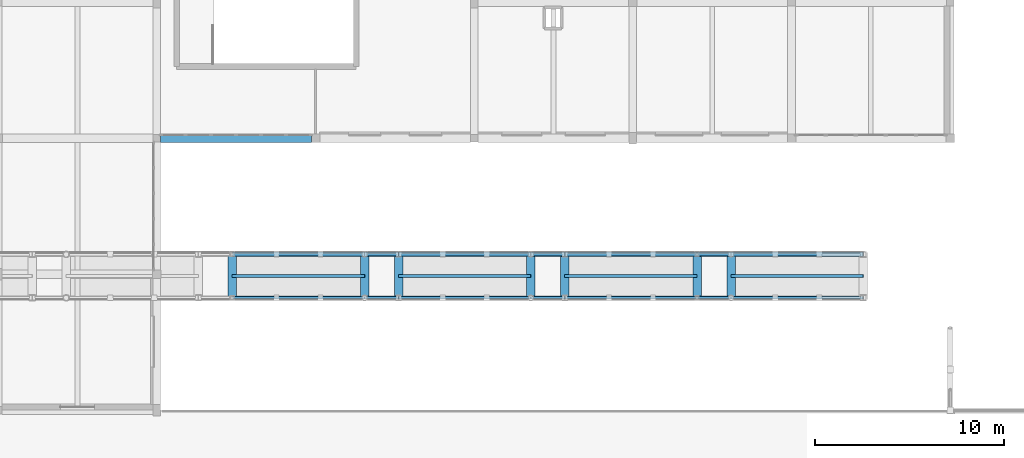
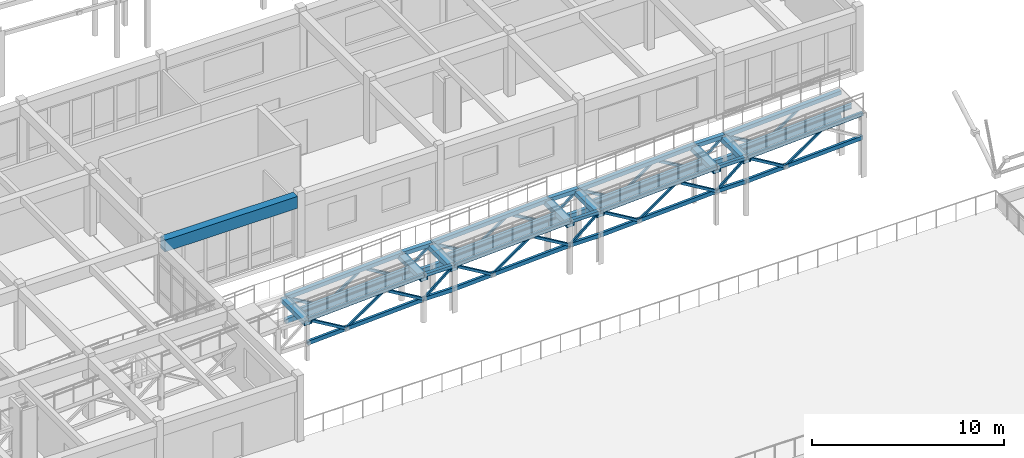
# One storey, part 36 of 90: 56 members, 12 beams.
"""IFC4 building model written with IfcOpenShell, lengths in metres."""

from ifc_helpers import new_model, si_unit, direction, frame, origin, origin_2d, place, context, subcontext, project, spatial, rectangle, hollow_rectangle, i_section, extrude, material, material_profile, profile_set, type_object, element, save


model = new_model("IFC4")

# Units and contexts
model_context = context("Model", 3, precision=1e-05, world=origin(), true_north=direction((0.0, 1.0)))
body_context = subcontext(model_context, "Body", "Model", "MODEL_VIEW")
ifc_project = project(units=[si_unit("LENGTHUNIT", "METRE"), si_unit("AREAUNIT", "SQUARE_METRE"), si_unit("VOLUMEUNIT", "CUBIC_METRE"), si_unit("PLANEANGLEUNIT", "RADIAN"), si_unit("MASSUNIT", "GRAM", prefix="KILO")], contexts=[model_context])

# Site, building, storey
site_placement = place(None, origin())
site = spatial("IfcSite", under=ifc_project, at=site_placement, CompositionType="ELEMENT")
building_placement = place(site_placement, origin())
building = spatial("IfcBuilding", under=site, at=building_placement, Name="Malvenik Polytechnic", CompositionType="ELEMENT")
storey_placement = place(building_placement, frame((0.0, 0.0, 9.300048828125)))
storey = spatial("IfcBuildingStorey", under=building, at=storey_placement, Name="L02", CompositionType="ELEMENT", Elevation=9.300048828125)

# Beams
ifc_material_1 = material(Name="Steel S355J2H", Category="steel")
ifc_material_profile_1 = material_profile(ifc_material_1, hollow_rectangle(XDim=0.449951171875, YDim=0.300048828125, WallThickness=0.012451171875, at=origin_2d()), Name="RHS 450x300x12.5")
ifc_profile_set_1 = profile_set([ifc_material_profile_1], Name="Steel S355J2H")
beam_type_1 = type_object("IfcBeamType", Name="STR-BM-SB-07", PredefinedType="BEAM", material=ifc_profile_set_1)
for number, where, z_axis, x_axis, name in (
    (1, (96.39990234375, 41.85009765625, 2.431884765625), (0.0, 1.0, 0.0), (-1.0, 0.0, 0.0), "Ramp Joint Transom RB-01 #16"),
    (2, (103.39990234375, 41.85009765625, 2.781982421875), (0.0, 1.0, 0.0), (-1.0, 0.0, 0.0), "Ramp Joint Transom RB-01 #17"),
    (3, (105.199951171875, 41.85009765625, 2.781982421875), (0.0, 1.0, 0.0), (-1.0, 0.0, 0.0), "Ramp Joint Transom RB-01 #18"),
    (4, (112.199951171875, 41.85009765625, 3.1318359375), (0.0, 1.0, 0.0), (-1.0, 0.0, 0.0), "Ramp Joint Transom RB-01 #19"),
    (5, (114.0, 41.85009765625, 3.1318359375), (0.0, 1.0, 0.0), (-1.0, 0.0, 0.0), "Ramp Joint Transom RB-01 #20"),
    (6, (121.0, 41.85009765625, 3.48193359375), (0.0, 1.0, 0.0), (-1.0, 0.0, 0.0), "Ramp Joint Transom RB-01 #21"),
    (7, (122.800048828125, 41.85009765625, 3.48193359375), (0.0, 1.0, 0.0), (-1.0, 0.0, 0.0), "Ramp Joint Transom RB-01 #22"),
):
    element("IfcBeam", number, at=place(storey_placement, frame(where, z_axis=z_axis, x_axis=x_axis)), inside=storey, type_object=beam_type_1, Name=name, PredefinedType="BEAM", context=body_context, shape_type="SweptSolid", body=[
        extrude(hollow_rectangle(XDim=0.449951171875, YDim=0.300048828125, WallThickness=0.012451171875, at=origin_2d()), origin(), (0.0, 0.0, 1.0), 2.5),
    ])
ifc_material_2 = material(Name="Steel S355", Category="steel")
ifc_material_profile_2 = material_profile(ifc_material_2, i_section(OverallWidth=0.14990234375, OverallDepth=0.300048828125, WebThickness=0.007080078125, FlangeThickness=0.0107421875, FilletRadius=0.014892578125, at=origin_2d()), Name="IPE 300")
ifc_profile_set_2 = profile_set([ifc_material_profile_2], Name="Steel S355")
beam_type_2 = type_object("IfcBeamType", Name="STR-BM-SB-09", PredefinedType="JOIST", material=ifc_profile_set_2)
for number, where, z_axis, x_axis, name in (
    (8, (96.39990234375, 43.10009765625, 2.375), (0.998753381067, 0.0, 0.049916768801), (0.0, 1.0, 0.0), "Ramp Centreline Stringer RB-01 #16"),
    (9, (105.199951171875, 43.10009765625, 2.724853515625), (0.998751643845, 0.0, 0.049951515669), (0.0, 1.0, 0.0), "Ramp Centreline Stringer RB-01 #18"),
    (10, (114.0, 43.10009765625, 3.074951171875), (0.998751643845, 0.0, 0.049951515669), (0.0, 1.0, 0.0), "Ramp Centreline Stringer RB-01 #20"),
    (11, (122.800048828125, 43.10009765625, 3.425048828125), (0.998753381067, 0.0, 0.049916768801), (0.0, 1.0, 0.0), "Ramp Centreline Stringer RB-01 #22"),
):
    element("IfcBeam", number, at=place(storey_placement, frame(where, z_axis=z_axis, x_axis=x_axis)), inside=storey, type_object=beam_type_2, Name=name, PredefinedType="JOIST", context=body_context, shape_type="SweptSolid", body=[
        extrude(i_section(OverallWidth=0.14990234375, OverallDepth=0.300048828125, WebThickness=0.007080078125, FlangeThickness=0.0107421875, FilletRadius=0.014892578125, at=origin_2d()), origin(), (0.0, 0.0, 1.0), 7.0087890625),
    ])
ifc_material_3 = material(Name="Precast concrete C40/50", Category="concrete")
ifc_material_profile_3 = material_profile(ifc_material_3, rectangle(XDim=0.4599609375, YDim=0.75, at=origin_2d()), Name="PC SPN 460x750")
ifc_profile_set_3 = profile_set([ifc_material_profile_3], Name="Precast concrete C40/50")
beam_type_3 = type_object("IfcBeamType", Name="STR-BM-SP-02", PredefinedType="SPANDREL", material=ifc_profile_set_3)
beam_placement = place(storey_placement, frame((92.597900390625, 50.39990234375, 3.56494140625), z_axis=(1.0, 0.0, 0.0), x_axis=(0.0, 1.0, 0.0)))
element("IfcBeam", 12, at=beam_placement, inside=storey, type_object=beam_type_3, Name="Primary Beam SP-02 L02 #1345", PredefinedType="SPANDREL", context=body_context, shape_type="SweptSolid", body=[
    extrude(rectangle(XDim=0.4599609375, YDim=0.75, at=origin_2d()), origin(), (0.0, 0.0, 1.0), 7.97900390625),
])

# Members
ifc_material_profile_4 = material_profile(ifc_material_1, hollow_rectangle(XDim=0.14990234375, YDim=0.25, WallThickness=0.010009765625, at=origin_2d()), Name="RHS 250x150x10.0")
ifc_profile_set_4 = profile_set([ifc_material_profile_4], Name="Steel S355J2H")
member_type_1 = type_object("IfcMemberType", Name="STR-MEM-TRB-01", PredefinedType="CHORD", material=ifc_profile_set_4)
member_1_placement = place(storey_placement, frame((96.404052734375, 41.949951171875, 1.080078125), z_axis=(0.998752251909, 0.0, 0.049939356288), x_axis=(0.0, 1.0, 0.0)))
element("IfcMember", 13, at=member_1_placement, inside=storey, type_object=member_type_1, Name="Space-Frame Tube TRB-01 STR-TR-BC-RB-01-1-16", PredefinedType="CHORD", context=body_context, shape_type="SweptSolid", body=[
    extrude(hollow_rectangle(XDim=0.14990234375, YDim=0.25, WallThickness=0.010009765625, at=origin_2d()), origin(), (0.0, 0.0, 1.0), 7.000732421875),
])
member_2_placement = place(storey_placement, frame((103.404052734375, 41.949951171875, 1.429931640625), z_axis=(1.0, 0.0, 0.0), x_axis=(0.0, 1.0, 0.0)))
element("IfcMember", 14, at=member_2_placement, inside=storey, type_object=member_type_1, Name="Space-Frame Tube TRB-01 STR-TR-BC-RB-01-1-17", PredefinedType="CHORD", context=body_context, shape_type="SweptSolid", body=[
    extrude(hollow_rectangle(XDim=0.14990234375, YDim=0.25, WallThickness=0.010009765625, at=origin_2d()), origin(), (0.0, 0.0, 1.0), 1.7919921875),
])
member_3_placement = place(storey_placement, frame((105.2041015625, 41.949951171875, 1.43017578125), z_axis=(0.998752251909, 0.0, 0.049939356288), x_axis=(0.0, 1.0, 0.0)))
element("IfcMember", 15, at=member_3_placement, inside=storey, type_object=member_type_1, Name="Space-Frame Tube TRB-01 STR-TR-BC-RB-01-1-18", PredefinedType="CHORD", context=body_context, shape_type="SweptSolid", body=[
    extrude(hollow_rectangle(XDim=0.14990234375, YDim=0.25, WallThickness=0.010009765625, at=origin_2d()), origin(), (0.0, 0.0, 1.0), 7.000732421875),
])
member_4_placement = place(storey_placement, frame((112.2041015625, 41.949951171875, 1.780029296875), z_axis=(1.0, 0.0, 0.0), x_axis=(0.0, 1.0, 0.0)))
element("IfcMember", 16, at=member_4_placement, inside=storey, type_object=member_type_1, Name="Space-Frame Tube TRB-01 STR-TR-BC-RB-01-1-19", PredefinedType="CHORD", context=body_context, shape_type="SweptSolid", body=[
    extrude(hollow_rectangle(XDim=0.14990234375, YDim=0.25, WallThickness=0.010009765625, at=origin_2d()), origin(), (0.0, 0.0, 1.0), 1.7919921875),
])
member_5_placement = place(storey_placement, frame((114.00390625, 41.949951171875, 1.780029296875), z_axis=(0.998752338878, 0.0, 0.049937616944), x_axis=(0.0, 1.0, 0.0)))
element("IfcMember", 17, at=member_5_placement, inside=storey, type_object=member_type_1, Name="Space-Frame Tube TRB-01 STR-TR-BC-RB-01-1-20", PredefinedType="CHORD", context=body_context, shape_type="SweptSolid", body=[
    extrude(hollow_rectangle(XDim=0.14990234375, YDim=0.25, WallThickness=0.010009765625, at=origin_2d()), origin(), (0.0, 0.0, 1.0), 7.0009765625),
])
member_6_placement = place(storey_placement, frame((121.00390625, 41.949951171875, 2.1298828125), z_axis=(1.0, 0.0, 0.0), x_axis=(0.0, 1.0, 0.0)))
element("IfcMember", 18, at=member_6_placement, inside=storey, type_object=member_type_1, Name="Space-Frame Tube TRB-01 STR-TR-BC-RB-01-1-21", PredefinedType="CHORD", context=body_context, shape_type="SweptSolid", body=[
    extrude(hollow_rectangle(XDim=0.14990234375, YDim=0.25, WallThickness=0.010009765625, at=origin_2d()), origin(), (0.0, 0.0, 1.0), 1.7919921875),
])
member_7_placement = place(storey_placement, frame((122.803955078125, 41.949951171875, 2.130126953125), z_axis=(0.998752251909, 0.0, 0.049939356288), x_axis=(0.0, 1.0, 0.0)))
element("IfcMember", 19, at=member_7_placement, inside=storey, type_object=member_type_1, Name="Space-Frame Tube TRB-01 STR-TR-BC-RB-01-1-22", PredefinedType="CHORD", context=body_context, shape_type="SweptSolid", body=[
    extrude(hollow_rectangle(XDim=0.14990234375, YDim=0.25, WallThickness=0.010009765625, at=origin_2d()), origin(), (0.0, 0.0, 1.0), 7.000732421875),
])
ifc_material_profile_5 = material_profile(ifc_material_1, hollow_rectangle(XDim=0.199951171875, YDim=0.300048828125, WallThickness=0.010009765625, at=origin_2d()), Name="RHS 300x200x10.0")
ifc_profile_set_5 = profile_set([ifc_material_profile_5], Name="Steel S355J2H")
member_type_2 = type_object("IfcMemberType", Name="STR-MEM-TRB-02", PredefinedType="CHORD", material=ifc_profile_set_5)
member_8_placement = place(storey_placement, frame((96.404052734375, 44.25, 1.080078125), z_axis=(0.998752251909, 0.0, 0.049939356288), x_axis=(0.0, 1.0, 0.0)))
element("IfcMember", 20, at=member_8_placement, inside=storey, type_object=member_type_2, Name="Space-Frame Tube TRB-02 STR-TR-BC-RB-01-2-16", PredefinedType="CHORD", context=body_context, shape_type="SweptSolid", body=[
    extrude(hollow_rectangle(XDim=0.199951171875, YDim=0.300048828125, WallThickness=0.010009765625, at=origin_2d()), origin(), (0.0, 0.0, 1.0), 7.000732421875),
])
member_9_placement = place(storey_placement, frame((103.404052734375, 44.25, 1.429931640625), z_axis=(1.0, 0.0, 0.0), x_axis=(0.0, 1.0, 0.0)))
element("IfcMember", 21, at=member_9_placement, inside=storey, type_object=member_type_2, Name="Space-Frame Tube TRB-02 STR-TR-BC-RB-01-2-17", PredefinedType="CHORD", context=body_context, shape_type="SweptSolid", body=[
    extrude(hollow_rectangle(XDim=0.199951171875, YDim=0.300048828125, WallThickness=0.010009765625, at=origin_2d()), origin(), (0.0, 0.0, 1.0), 1.7919921875),
])
member_10_placement = place(storey_placement, frame((105.2041015625, 44.25, 1.43017578125), z_axis=(0.998752251909, 0.0, 0.049939356288), x_axis=(0.0, 1.0, 0.0)))
element("IfcMember", 22, at=member_10_placement, inside=storey, type_object=member_type_2, Name="Space-Frame Tube TRB-02 STR-TR-BC-RB-01-2-18", PredefinedType="CHORD", context=body_context, shape_type="SweptSolid", body=[
    extrude(hollow_rectangle(XDim=0.199951171875, YDim=0.300048828125, WallThickness=0.010009765625, at=origin_2d()), origin(), (0.0, 0.0, 1.0), 7.000732421875),
])
member_11_placement = place(storey_placement, frame((112.2041015625, 44.25, 1.780029296875), z_axis=(1.0, 0.0, 0.0), x_axis=(0.0, 1.0, 0.0)))
element("IfcMember", 23, at=member_11_placement, inside=storey, type_object=member_type_2, Name="Space-Frame Tube TRB-02 STR-TR-BC-RB-01-2-19", PredefinedType="CHORD", context=body_context, shape_type="SweptSolid", body=[
    extrude(hollow_rectangle(XDim=0.199951171875, YDim=0.300048828125, WallThickness=0.010009765625, at=origin_2d()), origin(), (0.0, 0.0, 1.0), 1.7919921875),
])
member_12_placement = place(storey_placement, frame((114.00390625, 44.25, 1.780029296875), z_axis=(0.998752338878, 0.0, 0.049937616944), x_axis=(0.0, 1.0, 0.0)))
element("IfcMember", 24, at=member_12_placement, inside=storey, type_object=member_type_2, Name="Space-Frame Tube TRB-02 STR-TR-BC-RB-01-2-20", PredefinedType="CHORD", context=body_context, shape_type="SweptSolid", body=[
    extrude(hollow_rectangle(XDim=0.199951171875, YDim=0.300048828125, WallThickness=0.010009765625, at=origin_2d()), origin(), (0.0, 0.0, 1.0), 7.0009765625),
])
member_13_placement = place(storey_placement, frame((121.00390625, 44.25, 2.1298828125), z_axis=(1.0, 0.0, 0.0), x_axis=(0.0, 1.0, 0.0)))
element("IfcMember", 25, at=member_13_placement, inside=storey, type_object=member_type_2, Name="Space-Frame Tube TRB-02 STR-TR-BC-RB-01-2-21", PredefinedType="CHORD", context=body_context, shape_type="SweptSolid", body=[
    extrude(hollow_rectangle(XDim=0.199951171875, YDim=0.300048828125, WallThickness=0.010009765625, at=origin_2d()), origin(), (0.0, 0.0, 1.0), 1.7919921875),
])
member_14_placement = place(storey_placement, frame((122.803955078125, 44.25, 2.130126953125), z_axis=(0.998752251909, 0.0, 0.049939356288), x_axis=(0.0, 1.0, 0.0)))
element("IfcMember", 26, at=member_14_placement, inside=storey, type_object=member_type_2, Name="Space-Frame Tube TRB-02 STR-TR-BC-RB-01-2-22", PredefinedType="CHORD", context=body_context, shape_type="SweptSolid", body=[
    extrude(hollow_rectangle(XDim=0.199951171875, YDim=0.300048828125, WallThickness=0.010009765625, at=origin_2d()), origin(), (0.0, 0.0, 1.0), 7.000732421875),
])
ifc_material_profile_6 = material_profile(ifc_material_1, hollow_rectangle(XDim=0.14990234375, YDim=0.14990234375, WallThickness=0.008056640625, at=origin_2d()), Name="SHS 150x150x8.0")
ifc_profile_set_6 = profile_set([ifc_material_profile_6], Name="Steel S355J2H")
member_type_3 = type_object("IfcMemberType", Name="STR-MEM-TRD-01", PredefinedType="BRACE", material=ifc_profile_set_6)
for number, where, z_axis, x_axis, name in (
    (27, (96.4033203125, 41.949951171875, 2.577880859375), (0.860228478793, 0.0, -0.509908780346), (0.0, 1.0, 0.0), "Space-Frame Tube TRD-01 STR-TRD-01-RB-01-1-16"),
    (28, (101.070068359375, 41.949951171875, 2.811279296875), (0.860165406805, 0.0, -0.51001516932), (0.0, 1.0, 0.0), "Space-Frame Tube TRD-01 STR-TRD-03-RB-01-1-16"),
    (29, (105.203369140625, 41.949951171875, 2.927978515625), (0.860165406805, 0.0, -0.51001516932), (0.0, 1.0, 0.0), "Space-Frame Tube TRD-01 STR-TRD-01-RB-01-1-18"),
    (30, (109.8701171875, 41.949951171875, 3.1611328125), (0.860205006447, 0.0, -0.509948376684), (0.0, 1.0, 0.0), "Space-Frame Tube TRD-01 STR-TRD-03-RB-01-1-18"),
    (31, (114.00341796875, 41.949951171875, 3.27783203125), (0.860205006447, 0.0, -0.509948376684), (0.0, 1.0, 0.0), "Space-Frame Tube TRD-01 STR-TRD-01-RB-01-1-20"),
    (32, (118.670166015625, 41.949951171875, 3.51123046875), (0.860165406805, 0.0, -0.51001516932), (0.0, 1.0, 0.0), "Space-Frame Tube TRD-01 STR-TRD-03-RB-01-1-20"),
    (33, (122.803466796875, 41.949951171875, 3.6279296875), (0.860165406805, 0.0, -0.51001516932), (0.0, 1.0, 0.0), "Space-Frame Tube TRD-01 STR-TRD-01-RB-01-1-22"),
    (34, (96.4033203125, 44.25, 2.577880859375), (0.860228478793, 0.0, -0.509908780346), (0.0, 1.0, 0.0), "Space-Frame Tube TRD-01 STR-TRD-01-RB-01-2-16"),
    (35, (101.070068359375, 44.25, 2.811279296875), (0.860165406805, 0.0, -0.51001516932), (0.0, 1.0, 0.0), "Space-Frame Tube TRD-01 STR-TRD-03-RB-01-2-16"),
    (36, (105.203369140625, 44.25, 2.927978515625), (0.860165406805, 0.0, -0.51001516932), (0.0, 1.0, 0.0), "Space-Frame Tube TRD-01 STR-TRD-01-RB-01-2-18"),
    (37, (109.8701171875, 44.25, 3.1611328125), (0.860205006447, 0.0, -0.509948376684), (0.0, 1.0, 0.0), "Space-Frame Tube TRD-01 STR-TRD-03-RB-01-2-18"),
    (38, (114.00341796875, 44.25, 3.27783203125), (0.860205006447, 0.0, -0.509948376684), (0.0, 1.0, 0.0), "Space-Frame Tube TRD-01 STR-TRD-01-RB-01-2-20"),
    (39, (118.670166015625, 44.25, 3.51123046875), (0.860165406805, 0.0, -0.51001516932), (0.0, 1.0, 0.0), "Space-Frame Tube TRD-01 STR-TRD-03-RB-01-2-20"),
    (40, (122.803466796875, 44.25, 3.6279296875), (0.860165406805, 0.0, -0.51001516932), (0.0, 1.0, 0.0), "Space-Frame Tube TRD-01 STR-TRD-01-RB-01-2-22"),
):
    element("IfcMember", number, at=place(storey_placement, frame(where, z_axis=z_axis, x_axis=x_axis)), inside=storey, type_object=member_type_3, Name=name, PredefinedType="BRACE", context=body_context, shape_type="SweptSolid", body=[
        extrude(hollow_rectangle(XDim=0.14990234375, YDim=0.14990234375, WallThickness=0.008056640625, at=origin_2d()), origin(), (0.0, 0.0, 1.0), 2.70458984375),
    ])
ifc_material_profile_7 = material_profile(ifc_material_1, hollow_rectangle(XDim=0.1201171875, YDim=0.1201171875, WallThickness=0.00634765625, at=origin_2d()), Name="SHS 120x120x6.3")
ifc_profile_set_7 = profile_set([ifc_material_profile_7], Name="Steel S355J2H")
member_type_4 = type_object("IfcMemberType", Name="STR-MEM-TRD-02", PredefinedType="BRACE", material=ifc_profile_set_7)
member_15_placement = place(storey_placement, frame((98.736572265625, 41.949951171875, 1.198974609375), z_axis=(0.822005857331, 0.0, 0.569479034305), x_axis=(0.0, 1.0, 0.0)))
element("IfcMember", 41, at=member_15_placement, inside=storey, type_object=member_type_4, Name="Space-Frame Tube TRD-02 STR-TRD-02-RB-01-1-16", PredefinedType="BRACE", context=body_context, shape_type="SweptSolid", body=[
    extrude(hollow_rectangle(XDim=0.1201171875, YDim=0.1201171875, WallThickness=0.00634765625, at=origin_2d()), origin(), (0.0, 0.0, 1.0), 2.830810546875),
])
member_16_placement = place(storey_placement, frame((103.403076171875, 41.949951171875, 1.4326171875), z_axis=(0.768289837605, 0.0, 0.640102121097), x_axis=(0.0, 1.0, 0.0)))
element("IfcMember", 42, at=member_16_placement, inside=storey, type_object=member_type_4, Name="Space-Frame Tube TRD-02 STR-TR-DGL-RB-01-1-17", PredefinedType="BRACE", context=body_context, shape_type="SweptSolid", body=[
    extrude(hollow_rectangle(XDim=0.1201171875, YDim=0.1201171875, WallThickness=0.00634765625, at=origin_2d()), origin(), (0.0, 0.0, 1.0), 2.3349609375),
])
member_17_placement = place(storey_placement, frame((107.53662109375, 41.949951171875, 1.549072265625), z_axis=(0.822018261481, 0.0, 0.569461129307), x_axis=(0.0, 1.0, 0.0)))
element("IfcMember", 43, at=member_17_placement, inside=storey, type_object=member_type_4, Name="Space-Frame Tube TRD-02 STR-TRD-02-RB-01-1-18", PredefinedType="BRACE", context=body_context, shape_type="SweptSolid", body=[
    extrude(hollow_rectangle(XDim=0.1201171875, YDim=0.1201171875, WallThickness=0.00634765625, at=origin_2d()), origin(), (0.0, 0.0, 1.0), 2.830322265625),
])
member_18_placement = place(storey_placement, frame((112.203125, 41.949951171875, 1.782470703125), z_axis=(0.768195567728, 0.0, 0.640215252647), x_axis=(0.0, 1.0, 0.0)))
element("IfcMember", 44, at=member_18_placement, inside=storey, type_object=member_type_4, Name="Space-Frame Tube TRD-02 STR-TR-DGL-RB-01-1-19", PredefinedType="BRACE", context=body_context, shape_type="SweptSolid", body=[
    extrude(hollow_rectangle(XDim=0.1201171875, YDim=0.1201171875, WallThickness=0.00634765625, at=origin_2d()), origin(), (0.0, 0.0, 1.0), 2.3349609375),
])
member_19_placement = place(storey_placement, frame((116.336669921875, 41.949951171875, 1.89892578125), z_axis=(0.821977884392, 0.0, 0.569519409301), x_axis=(0.0, 1.0, 0.0)))
element("IfcMember", 45, at=member_19_placement, inside=storey, type_object=member_type_4, Name="Space-Frame Tube TRD-02 STR-TRD-02-RB-01-1-20", PredefinedType="BRACE", context=body_context, shape_type="SweptSolid", body=[
    extrude(hollow_rectangle(XDim=0.1201171875, YDim=0.1201171875, WallThickness=0.00634765625, at=origin_2d()), origin(), (0.0, 0.0, 1.0), 2.83056640625),
])
member_20_placement = place(storey_placement, frame((121.003173828125, 41.949951171875, 2.132568359375), z_axis=(0.768195567728, 0.0, 0.640215252647), x_axis=(0.0, 1.0, 0.0)))
element("IfcMember", 46, at=member_20_placement, inside=storey, type_object=member_type_4, Name="Space-Frame Tube TRD-02 STR-TR-DGL-RB-01-1-21", PredefinedType="BRACE", context=body_context, shape_type="SweptSolid", body=[
    extrude(hollow_rectangle(XDim=0.1201171875, YDim=0.1201171875, WallThickness=0.00634765625, at=origin_2d()), origin(), (0.0, 0.0, 1.0), 2.3349609375),
])
member_21_placement = place(storey_placement, frame((125.13671875, 41.949951171875, 2.2490234375), z_axis=(0.822018261481, 0.0, 0.569461129307), x_axis=(0.0, 1.0, 0.0)))
element("IfcMember", 47, at=member_21_placement, inside=storey, type_object=member_type_4, Name="Space-Frame Tube TRD-02 STR-TRD-02-RB-01-1-22", PredefinedType="BRACE", context=body_context, shape_type="SweptSolid", body=[
    extrude(hollow_rectangle(XDim=0.1201171875, YDim=0.1201171875, WallThickness=0.00634765625, at=origin_2d()), origin(), (0.0, 0.0, 1.0), 2.830322265625),
])
member_22_placement = place(storey_placement, frame((98.736572265625, 44.25, 1.198974609375), z_axis=(0.822005857331, 0.0, 0.569479034305), x_axis=(0.0, 1.0, 0.0)))
element("IfcMember", 48, at=member_22_placement, inside=storey, type_object=member_type_4, Name="Space-Frame Tube TRD-02 STR-TRD-02-RB-01-2-16", PredefinedType="BRACE", context=body_context, shape_type="SweptSolid", body=[
    extrude(hollow_rectangle(XDim=0.1201171875, YDim=0.1201171875, WallThickness=0.00634765625, at=origin_2d()), origin(), (0.0, 0.0, 1.0), 2.830810546875),
])
member_23_placement = place(storey_placement, frame((103.403076171875, 44.25, 1.4326171875), z_axis=(0.768289837605, 0.0, 0.640102121097), x_axis=(0.0, 1.0, 0.0)))
element("IfcMember", 49, at=member_23_placement, inside=storey, type_object=member_type_4, Name="Space-Frame Tube TRD-02 STR-TR-DGL-RB-01-2-17", PredefinedType="BRACE", context=body_context, shape_type="SweptSolid", body=[
    extrude(hollow_rectangle(XDim=0.1201171875, YDim=0.1201171875, WallThickness=0.00634765625, at=origin_2d()), origin(), (0.0, 0.0, 1.0), 2.3349609375),
])
member_24_placement = place(storey_placement, frame((107.53662109375, 44.25, 1.549072265625), z_axis=(0.822018261481, 0.0, 0.569461129307), x_axis=(0.0, 1.0, 0.0)))
element("IfcMember", 50, at=member_24_placement, inside=storey, type_object=member_type_4, Name="Space-Frame Tube TRD-02 STR-TRD-02-RB-01-2-18", PredefinedType="BRACE", context=body_context, shape_type="SweptSolid", body=[
    extrude(hollow_rectangle(XDim=0.1201171875, YDim=0.1201171875, WallThickness=0.00634765625, at=origin_2d()), origin(), (0.0, 0.0, 1.0), 2.830322265625),
])
member_25_placement = place(storey_placement, frame((112.203125, 44.25, 1.782470703125), z_axis=(0.768195567728, 0.0, 0.640215252647), x_axis=(0.0, 1.0, 0.0)))
element("IfcMember", 51, at=member_25_placement, inside=storey, type_object=member_type_4, Name="Space-Frame Tube TRD-02 STR-TR-DGL-RB-01-2-19", PredefinedType="BRACE", context=body_context, shape_type="SweptSolid", body=[
    extrude(hollow_rectangle(XDim=0.1201171875, YDim=0.1201171875, WallThickness=0.00634765625, at=origin_2d()), origin(), (0.0, 0.0, 1.0), 2.3349609375),
])
member_26_placement = place(storey_placement, frame((116.336669921875, 44.25, 1.89892578125), z_axis=(0.821977884392, 0.0, 0.569519409301), x_axis=(0.0, 1.0, 0.0)))
element("IfcMember", 52, at=member_26_placement, inside=storey, type_object=member_type_4, Name="Space-Frame Tube TRD-02 STR-TRD-02-RB-01-2-20", PredefinedType="BRACE", context=body_context, shape_type="SweptSolid", body=[
    extrude(hollow_rectangle(XDim=0.1201171875, YDim=0.1201171875, WallThickness=0.00634765625, at=origin_2d()), origin(), (0.0, 0.0, 1.0), 2.83056640625),
])
member_27_placement = place(storey_placement, frame((121.003173828125, 44.25, 2.132568359375), z_axis=(0.768195567728, 0.0, 0.640215252647), x_axis=(0.0, 1.0, 0.0)))
element("IfcMember", 53, at=member_27_placement, inside=storey, type_object=member_type_4, Name="Space-Frame Tube TRD-02 STR-TR-DGL-RB-01-2-21", PredefinedType="BRACE", context=body_context, shape_type="SweptSolid", body=[
    extrude(hollow_rectangle(XDim=0.1201171875, YDim=0.1201171875, WallThickness=0.00634765625, at=origin_2d()), origin(), (0.0, 0.0, 1.0), 2.3349609375),
])
member_28_placement = place(storey_placement, frame((125.13671875, 44.25, 2.2490234375), z_axis=(0.822018261481, 0.0, 0.569461129307), x_axis=(0.0, 1.0, 0.0)))
element("IfcMember", 54, at=member_28_placement, inside=storey, type_object=member_type_4, Name="Space-Frame Tube TRD-02 STR-TRD-02-RB-01-2-22", PredefinedType="BRACE", context=body_context, shape_type="SweptSolid", body=[
    extrude(hollow_rectangle(XDim=0.1201171875, YDim=0.1201171875, WallThickness=0.00634765625, at=origin_2d()), origin(), (0.0, 0.0, 1.0), 2.830322265625),
])
ifc_material_profile_8 = material_profile(ifc_material_1, hollow_rectangle(XDim=0.199951171875, YDim=0.199951171875, WallThickness=0.010009765625, at=origin_2d()), Name="SHS 200x200x10.0")
ifc_profile_set_8 = profile_set([ifc_material_profile_8], Name="Steel S355J2H")
member_type_5 = type_object("IfcMemberType", Name="STR-MEM-TRT-01", PredefinedType="CHORD", material=ifc_profile_set_8)
member_29_placement = place(storey_placement, frame((96.404052734375, 41.949951171875, 2.580078125), z_axis=(0.998752251909, 0.0, 0.049939356288), x_axis=(0.0, 1.0, 0.0)))
element("IfcMember", 55, at=member_29_placement, inside=storey, type_object=member_type_5, Name="Space-Frame Tube TRT-01 STR-TR-TC-RB-01-1-16", PredefinedType="CHORD", context=body_context, shape_type="SweptSolid", body=[
    extrude(hollow_rectangle(XDim=0.199951171875, YDim=0.199951171875, WallThickness=0.010009765625, at=origin_2d()), origin(), (0.0, 0.0, 1.0), 7.000732421875),
])
member_30_placement = place(storey_placement, frame((103.404052734375, 41.949951171875, 2.929931640625), z_axis=(1.0, 0.0, 0.0), x_axis=(0.0, 1.0, 0.0)))
element("IfcMember", 56, at=member_30_placement, inside=storey, type_object=member_type_5, Name="Space-Frame Tube TRT-01 STR-TR-TC-RB-01-1-17", PredefinedType="CHORD", context=body_context, shape_type="SweptSolid", body=[
    extrude(hollow_rectangle(XDim=0.199951171875, YDim=0.199951171875, WallThickness=0.010009765625, at=origin_2d()), origin(), (0.0, 0.0, 1.0), 1.7919921875),
])
member_31_placement = place(storey_placement, frame((105.2041015625, 41.949951171875, 2.93017578125), z_axis=(0.998752251909, 0.0, 0.049939356288), x_axis=(0.0, 1.0, 0.0)))
element("IfcMember", 57, at=member_31_placement, inside=storey, type_object=member_type_5, Name="Space-Frame Tube TRT-01 STR-TR-TC-RB-01-1-18", PredefinedType="CHORD", context=body_context, shape_type="SweptSolid", body=[
    extrude(hollow_rectangle(XDim=0.199951171875, YDim=0.199951171875, WallThickness=0.010009765625, at=origin_2d()), origin(), (0.0, 0.0, 1.0), 7.000732421875),
])
member_32_placement = place(storey_placement, frame((112.2041015625, 41.949951171875, 3.280029296875), z_axis=(1.0, 0.0, 0.0), x_axis=(0.0, 1.0, 0.0)))
element("IfcMember", 58, at=member_32_placement, inside=storey, type_object=member_type_5, Name="Space-Frame Tube TRT-01 STR-TR-TC-RB-01-1-19", PredefinedType="CHORD", context=body_context, shape_type="SweptSolid", body=[
    extrude(hollow_rectangle(XDim=0.199951171875, YDim=0.199951171875, WallThickness=0.010009765625, at=origin_2d()), origin(), (0.0, 0.0, 1.0), 1.7919921875),
])
member_33_placement = place(storey_placement, frame((114.00390625, 41.949951171875, 3.280029296875), z_axis=(0.998752338878, 0.0, 0.049937616944), x_axis=(0.0, 1.0, 0.0)))
element("IfcMember", 59, at=member_33_placement, inside=storey, type_object=member_type_5, Name="Space-Frame Tube TRT-01 STR-TR-TC-RB-01-1-20", PredefinedType="CHORD", context=body_context, shape_type="SweptSolid", body=[
    extrude(hollow_rectangle(XDim=0.199951171875, YDim=0.199951171875, WallThickness=0.010009765625, at=origin_2d()), origin(), (0.0, 0.0, 1.0), 7.0009765625),
])
member_34_placement = place(storey_placement, frame((121.00390625, 41.949951171875, 3.6298828125), z_axis=(1.0, 0.0, 0.0), x_axis=(0.0, 1.0, 0.0)))
element("IfcMember", 60, at=member_34_placement, inside=storey, type_object=member_type_5, Name="Space-Frame Tube TRT-01 STR-TR-TC-RB-01-1-21", PredefinedType="CHORD", context=body_context, shape_type="SweptSolid", body=[
    extrude(hollow_rectangle(XDim=0.199951171875, YDim=0.199951171875, WallThickness=0.010009765625, at=origin_2d()), origin(), (0.0, 0.0, 1.0), 1.7919921875),
])
member_35_placement = place(storey_placement, frame((122.803955078125, 41.949951171875, 3.630126953125), z_axis=(0.998752251909, 0.0, 0.049939356288), x_axis=(0.0, 1.0, 0.0)))
element("IfcMember", 61, at=member_35_placement, inside=storey, type_object=member_type_5, Name="Space-Frame Tube TRT-01 STR-TR-TC-RB-01-1-22", PredefinedType="CHORD", context=body_context, shape_type="SweptSolid", body=[
    extrude(hollow_rectangle(XDim=0.199951171875, YDim=0.199951171875, WallThickness=0.010009765625, at=origin_2d()), origin(), (0.0, 0.0, 1.0), 7.000732421875),
])
ifc_material_profile_9 = material_profile(ifc_material_1, hollow_rectangle(XDim=0.25, YDim=0.25, WallThickness=0.010009765625, at=origin_2d()), Name="SHS 250x250x10.0")
ifc_profile_set_9 = profile_set([ifc_material_profile_9], Name="Steel S355J2H")
member_type_6 = type_object("IfcMemberType", Name="STR-MEM-TRT-02", PredefinedType="CHORD", material=ifc_profile_set_9)
member_36_placement = place(storey_placement, frame((96.404052734375, 44.25, 2.580078125), z_axis=(0.998752251909, 0.0, 0.049939356288), x_axis=(0.0, 1.0, 0.0)))
element("IfcMember", 62, at=member_36_placement, inside=storey, type_object=member_type_6, Name="Space-Frame Tube TRT-02 STR-TR-TC-RB-01-2-16", PredefinedType="CHORD", context=body_context, shape_type="SweptSolid", body=[
    extrude(hollow_rectangle(XDim=0.25, YDim=0.25, WallThickness=0.010009765625, at=origin_2d()), origin(), (0.0, 0.0, 1.0), 7.000732421875),
])
member_37_placement = place(storey_placement, frame((103.404052734375, 44.25, 2.929931640625), z_axis=(1.0, 0.0, 0.0), x_axis=(0.0, 1.0, 0.0)))
element("IfcMember", 63, at=member_37_placement, inside=storey, type_object=member_type_6, Name="Space-Frame Tube TRT-02 STR-TR-TC-RB-01-2-17", PredefinedType="CHORD", context=body_context, shape_type="SweptSolid", body=[
    extrude(hollow_rectangle(XDim=0.25, YDim=0.25, WallThickness=0.010009765625, at=origin_2d()), origin(), (0.0, 0.0, 1.0), 1.7919921875),
])
member_38_placement = place(storey_placement, frame((105.2041015625, 44.25, 2.93017578125), z_axis=(0.998752251909, 0.0, 0.049939356288), x_axis=(0.0, 1.0, 0.0)))
element("IfcMember", 64, at=member_38_placement, inside=storey, type_object=member_type_6, Name="Space-Frame Tube TRT-02 STR-TR-TC-RB-01-2-18", PredefinedType="CHORD", context=body_context, shape_type="SweptSolid", body=[
    extrude(hollow_rectangle(XDim=0.25, YDim=0.25, WallThickness=0.010009765625, at=origin_2d()), origin(), (0.0, 0.0, 1.0), 7.000732421875),
])
member_39_placement = place(storey_placement, frame((112.2041015625, 44.25, 3.280029296875), z_axis=(1.0, 0.0, 0.0), x_axis=(0.0, 1.0, 0.0)))
element("IfcMember", 65, at=member_39_placement, inside=storey, type_object=member_type_6, Name="Space-Frame Tube TRT-02 STR-TR-TC-RB-01-2-19", PredefinedType="CHORD", context=body_context, shape_type="SweptSolid", body=[
    extrude(hollow_rectangle(XDim=0.25, YDim=0.25, WallThickness=0.010009765625, at=origin_2d()), origin(), (0.0, 0.0, 1.0), 1.7919921875),
])
member_40_placement = place(storey_placement, frame((114.00390625, 44.25, 3.280029296875), z_axis=(0.998752338878, 0.0, 0.049937616944), x_axis=(0.0, 1.0, 0.0)))
element("IfcMember", 66, at=member_40_placement, inside=storey, type_object=member_type_6, Name="Space-Frame Tube TRT-02 STR-TR-TC-RB-01-2-20", PredefinedType="CHORD", context=body_context, shape_type="SweptSolid", body=[
    extrude(hollow_rectangle(XDim=0.25, YDim=0.25, WallThickness=0.010009765625, at=origin_2d()), origin(), (0.0, 0.0, 1.0), 7.0009765625),
])
member_41_placement = place(storey_placement, frame((121.00390625, 44.25, 3.6298828125), z_axis=(1.0, 0.0, 0.0), x_axis=(0.0, 1.0, 0.0)))
element("IfcMember", 67, at=member_41_placement, inside=storey, type_object=member_type_6, Name="Space-Frame Tube TRT-02 STR-TR-TC-RB-01-2-21", PredefinedType="CHORD", context=body_context, shape_type="SweptSolid", body=[
    extrude(hollow_rectangle(XDim=0.25, YDim=0.25, WallThickness=0.010009765625, at=origin_2d()), origin(), (0.0, 0.0, 1.0), 1.7919921875),
])
member_42_placement = place(storey_placement, frame((122.803955078125, 44.25, 3.630126953125), z_axis=(0.998752251909, 0.0, 0.049939356288), x_axis=(0.0, 1.0, 0.0)))
element("IfcMember", 68, at=member_42_placement, inside=storey, type_object=member_type_6, Name="Space-Frame Tube TRT-02 STR-TR-TC-RB-01-2-22", PredefinedType="CHORD", context=body_context, shape_type="SweptSolid", body=[
    extrude(hollow_rectangle(XDim=0.25, YDim=0.25, WallThickness=0.010009765625, at=origin_2d()), origin(), (0.0, 0.0, 1.0), 7.000732421875),
])

save(model, "model.ifc")
